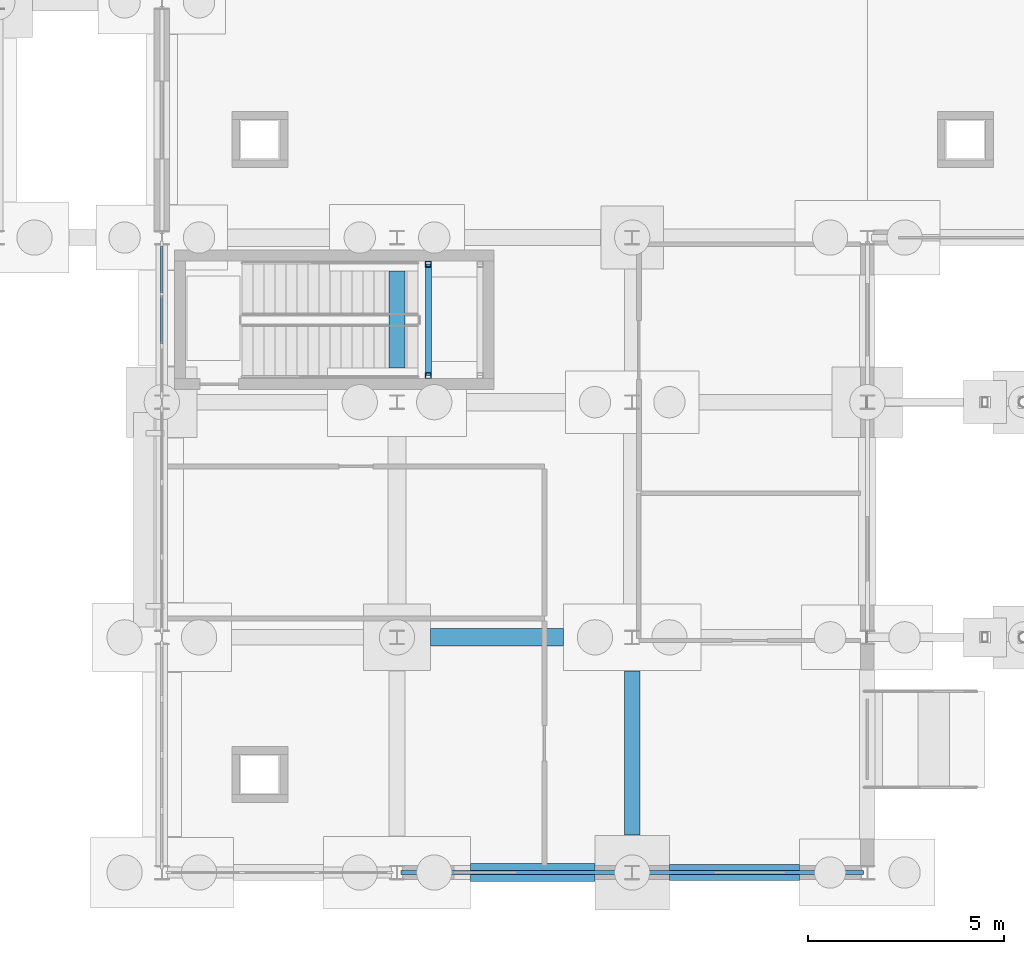
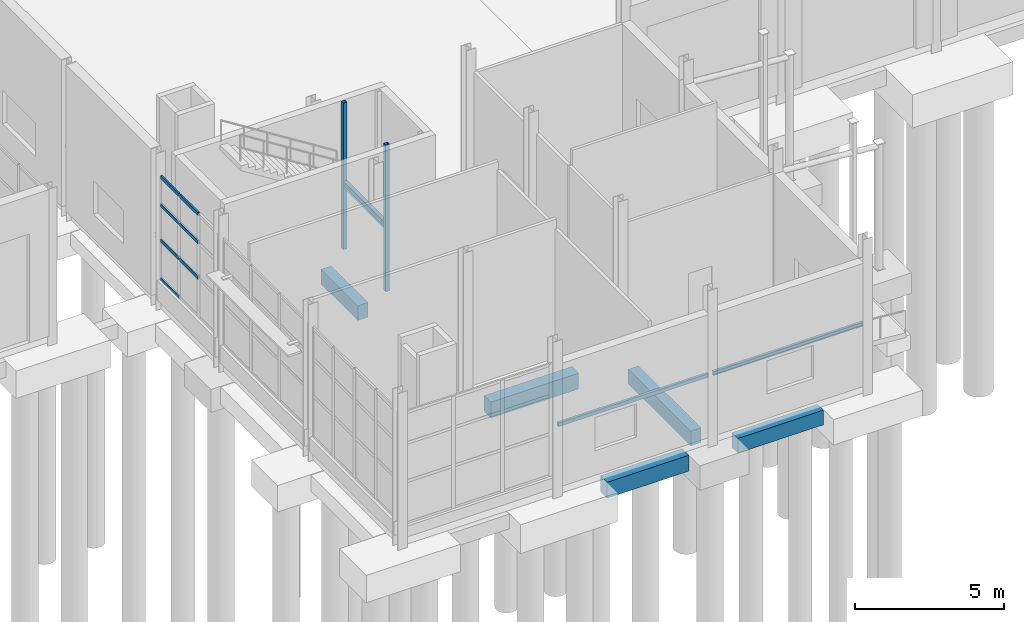
# One storey, part 31 of 120: 9 members, 8 beams, 1 element without a shape of its own.
"""IFC4 building model written with IfcOpenShell, lengths in metres."""

from ifc_helpers import new_model, si_unit, direction, frame, origin, origin_2d, place, context, subcontext, project, spatial, rectangle, hollow_rectangle, i_section, extrude, material, material_profile, profile_set, type_object, element, aggregate, save


model = new_model("IFC4")

# Units and contexts
model_context = context("Model", 3, precision=1e-05, world=origin(), true_north=direction((0.0, 1.0)))
body_context = subcontext(model_context, "Body", "Model", "MODEL_VIEW")
ifc_project = project(units=[si_unit("LENGTHUNIT", "METRE"), si_unit("AREAUNIT", "SQUARE_METRE"), si_unit("VOLUMEUNIT", "CUBIC_METRE"), si_unit("PLANEANGLEUNIT", "RADIAN"), si_unit("MASSUNIT", "GRAM", prefix="KILO")], contexts=[model_context])

# Site, building, storey
site_placement = place(None, origin())
site = spatial("IfcSite", under=ifc_project, at=site_placement, CompositionType="ELEMENT")
building_placement = place(site_placement, origin())
building = spatial("IfcBuilding", under=site, at=building_placement, Name="Siltcreek Boulevard Central Fire Station", CompositionType="ELEMENT")
storey_placement = place(building_placement, origin())
storey = spatial("IfcBuildingStorey", under=building, at=storey_placement, Name="L01", CompositionType="ELEMENT", Elevation=0.0)

# Members
ifc_material_1 = material(Name="Structural steel ASTM A500 GrC", Category="steel")
ifc_material_profile_1 = material_profile(ifc_material_1, hollow_rectangle(XDim=0.14990234375, YDim=0.14990234375, WallThickness=0.008056640625, at=origin_2d()), Name="HSS150X150X8.0")
ifc_profile_set_1 = profile_set([ifc_material_profile_1], Name="Structural steel ASTM A500 GrC")
member_type_1 = type_object("IfcMemberType", Name="BR_HSS150_8", PredefinedType="BRACE", material=ifc_profile_set_1)
for number, where, z_axis, x_axis, name in (
    (1, (48.800048828125, 14.47998046875, 0.0), (0.0, 0.0, 1.0), (1.0, 0.0, 0.0), "L01 ST-V1P stair landing corner post SW"),
    (2, (48.800048828125, 17.320068359375, 0.0), (0.0, 0.0, 1.0), (1.0, 0.0, 0.0), "L01 ST-V1P stair landing corner post NW"),
):
    element("IfcMember", number, at=place(storey_placement, frame(where, z_axis=z_axis, x_axis=x_axis)), inside=storey, type_object=member_type_1, Name=name, PredefinedType="BRACE", context=body_context, shape_type="SweptSolid", body=[
        extrude(hollow_rectangle(XDim=0.14990234375, YDim=0.14990234375, WallThickness=0.008056640625, at=origin_2d()), origin(), (0.0, 0.0, 1.0), 6.0),
    ])

# Curtain wall, members
ifc_material_2 = material(Name="Anodized aluminum and low-E insulated glazing", Category="aluminium")
curtain_wall_type = type_object("IfcCurtainWallType", Name="CW_SYS_11", PredefinedType="USERDEFINED", material=ifc_material_2)
curtain_wall_placement = place(storey_placement, origin())
curtain_wall = element("IfcCurtainWall", 3, at=curtain_wall_placement, inside=storey, type_object=curtain_wall_type, Name="L01 V1 unitised curtain wall CW-010", ObjectType="CURTAIN WALL", PredefinedType="USERDEFINED")
ifc_material_3 = material(Name="Anodized 6063-T6 aluminum framing", Category="aluminium")
ifc_material_profile_2 = material_profile(ifc_material_3, rectangle(XDim=0.06494140625, YDim=0.135009765625, at=origin_2d()), Name="TRAN65X135")
ifc_profile_set_2 = profile_set([ifc_material_profile_2], Name="Anodized 6063-T6 aluminum framing")
member_type_2 = type_object("IfcMemberType", Name="CWT_65X135", PredefinedType="USERDEFINED", material=ifc_profile_set_2)
member_1_placement = place(storey_placement, frame((42.0, 17.7900390625, 0.83251953125), z_axis=(0.0, -1.0, 0.0), x_axis=(1.0, 0.0, 0.0)))
member_1 = element("IfcMember", 4, at=member_1_placement, type_object=member_type_2, Name="CW-010 transom 1.1", ObjectType="TRANSOM", PredefinedType="USERDEFINED", context=body_context, shape_type="SweptSolid", body=[
    extrude(rectangle(XDim=0.06494140625, YDim=0.135009765625, at=origin_2d()), origin(), (0.0, 0.0, 1.0), 1.205810546875),
])
member_2_placement = place(storey_placement, frame((42.0, 17.7900390625, 2.41259765625), z_axis=(0.0, -1.0, 0.0), x_axis=(1.0, 0.0, 0.0)))
member_2 = element("IfcMember", 5, at=member_2_placement, type_object=member_type_2, Name="CW-010 transom 1.2", ObjectType="TRANSOM", PredefinedType="USERDEFINED", context=body_context, shape_type="SweptSolid", body=[
    extrude(rectangle(XDim=0.06494140625, YDim=0.135009765625, at=origin_2d()), origin(), (0.0, 0.0, 1.0), 1.205810546875),
])
member_3_placement = place(storey_placement, frame((42.0, 17.7900390625, 3.855712890625), z_axis=(0.0, -1.0, 0.0), x_axis=(1.0, 0.0, 0.0)))
member_3 = element("IfcMember", 6, at=member_3_placement, type_object=member_type_2, Name="CW-010 transom 1.3", ObjectType="TRANSOM", PredefinedType="USERDEFINED", context=body_context, shape_type="SweptSolid", body=[
    extrude(rectangle(XDim=0.06494140625, YDim=0.135009765625, at=origin_2d()), origin(), (0.0, 0.0, 1.0), 1.205810546875),
])
member_4_placement = place(storey_placement, frame((42.0, 17.7900390625, 5.011474609375), z_axis=(0.0, -1.0, 0.0), x_axis=(1.0, 0.0, 0.0)))
member_4 = element("IfcMember", 7, at=member_4_placement, type_object=member_type_2, Name="CW-010 transom 1.4", ObjectType="TRANSOM", PredefinedType="USERDEFINED", context=body_context, shape_type="SweptSolid", body=[
    extrude(rectangle(XDim=0.06494140625, YDim=0.135009765625, at=origin_2d()), origin(), (0.0, 0.0, 1.0), 1.205810546875),
])
member_5_placement = place(storey_placement, frame((42.0, 16.519287109375, 2.41259765625), z_axis=(0.0, -1.0, 0.0), x_axis=(1.0, 0.0, 0.0)))
member_5 = element("IfcMember", 8, at=member_5_placement, type_object=member_type_2, Name="CW-010 transom 2.2", ObjectType="TRANSOM", PredefinedType="USERDEFINED", context=body_context, shape_type="SweptSolid", body=[
    extrude(rectangle(XDim=0.06494140625, YDim=0.135009765625, at=origin_2d()), origin(), (0.0, 0.0, 1.0), 1.238525390625),
])
member_6_placement = place(storey_placement, frame((42.0, 16.519287109375, 3.855712890625), z_axis=(0.0, -1.0, 0.0), x_axis=(1.0, 0.0, 0.0)))
member_6 = element("IfcMember", 9, at=member_6_placement, type_object=member_type_2, Name="CW-010 transom 2.3", ObjectType="TRANSOM", PredefinedType="USERDEFINED", context=body_context, shape_type="SweptSolid", body=[
    extrude(rectangle(XDim=0.06494140625, YDim=0.135009765625, at=origin_2d()), origin(), (0.0, 0.0, 1.0), 1.238525390625),
])
member_7_placement = place(storey_placement, frame((42.0, 16.519287109375, 5.011474609375), z_axis=(0.0, -1.0, 0.0), x_axis=(1.0, 0.0, 0.0)))
member_7 = element("IfcMember", 10, at=member_7_placement, type_object=member_type_2, Name="CW-010 transom 2.4", ObjectType="TRANSOM", PredefinedType="USERDEFINED", context=body_context, shape_type="SweptSolid", body=[
    extrude(rectangle(XDim=0.06494140625, YDim=0.135009765625, at=origin_2d()), origin(), (0.0, 0.0, 1.0), 1.238525390625),
])
aggregate(curtain_wall, [member_1, member_2, member_3, member_4, member_5, member_6, member_7])

# Beams
ifc_material_4 = material(Name="Concrete C35/45", Category="concrete")
ifc_material_profile_3 = material_profile(ifc_material_4, rectangle(XDim=0.39990234375, YDim=0.60009765625, at=origin_2d()), Name="RC400X600")
ifc_profile_set_3 = profile_set([ifc_material_profile_3], Name="Concrete C35/45")
beam_type_1 = type_object("IfcBeamType", Name="GB_RC400X600", PredefinedType="USERDEFINED", material=ifc_profile_set_3)
beam_1_placement = place(storey_placement, frame((54.951904296875, 1.800048828125, -0.7099609375), z_axis=(1.0, 0.0, 0.0), x_axis=(0.0, 1.0, 0.0)))
element("IfcBeam", 11, at=beam_1_placement, inside=storey, type_object=beam_type_1, Name="Reinforced concrete tie grade beam GB-003", ObjectType="GRADE BEAM", PredefinedType="USERDEFINED", context=body_context, shape_type="SweptSolid", body=[
    extrude(rectangle(XDim=0.39990234375, YDim=0.60009765625, at=origin_2d()), origin(), (0.0, 0.0, 1.0), 3.321044921875),
])
beam_2_placement = place(storey_placement, frame((48.0, 14.677001953125, -0.7099609375), z_axis=(0.0, 1.0, 0.0), x_axis=(-1.0, 0.0, 0.0)))
element("IfcBeam", 12, at=beam_2_placement, inside=storey, type_object=beam_type_1, Name="Reinforced concrete tie grade beam GB-155", ObjectType="GRADE BEAM", PredefinedType="USERDEFINED", context=body_context, shape_type="SweptSolid", body=[
    extrude(rectangle(XDim=0.39990234375, YDim=0.60009765625, at=origin_2d()), origin(), (0.0, 0.0, 1.0), 2.470947265625),
])
beam_3_placement = place(storey_placement, frame((54.0, 2.751953125, -0.7099609375), z_axis=(0.0, 1.0, 0.0), x_axis=(-1.0, 0.0, 0.0)))
element("IfcBeam", 13, at=beam_3_placement, inside=storey, type_object=beam_type_1, Name="Reinforced concrete tie grade beam GB-161", ObjectType="GRADE BEAM", PredefinedType="USERDEFINED", context=body_context, shape_type="SweptSolid", body=[
    extrude(rectangle(XDim=0.39990234375, YDim=0.60009765625, at=origin_2d()), origin(), (0.0, 0.0, 1.0), 4.196044921875),
])
ifc_material_profile_4 = material_profile(ifc_material_4, rectangle(XDim=0.449951171875, YDim=0.64990234375, at=origin_2d()), Name="RC450X650")
ifc_profile_set_4 = profile_set([ifc_material_profile_4], Name="Concrete C35/45")
beam_type_2 = type_object("IfcBeamType", Name="GB_RC450X650", PredefinedType="USERDEFINED", material=ifc_profile_set_4)
beam_4_placement = place(storey_placement, frame((49.876953125, 1.800048828125, -0.735107421875), z_axis=(1.0, 0.0, 0.0), x_axis=(0.0, 1.0, 0.0)))
element("IfcBeam", 14, at=beam_4_placement, inside=storey, type_object=beam_type_2, Name="Reinforced concrete tie grade beam GB-002", ObjectType="GRADE BEAM", PredefinedType="USERDEFINED", context=body_context, shape_type="SweptSolid", body=[
    extrude(rectangle(XDim=0.449951171875, YDim=0.64990234375, at=origin_2d()), origin(), (0.0, 0.0, 1.0), 3.171142578125),
])
beam_5_placement = place(storey_placement, frame((48.85205078125, 7.800048828125, -0.735107421875), z_axis=(1.0, 0.0, 0.0), x_axis=(0.0, 1.0, 0.0)))
element("IfcBeam", 15, at=beam_5_placement, inside=storey, type_object=beam_type_2, Name="Reinforced concrete tie grade beam GB-012", ObjectType="GRADE BEAM", PredefinedType="USERDEFINED", context=body_context, shape_type="SweptSolid", body=[
    extrude(rectangle(XDim=0.449951171875, YDim=0.64990234375, at=origin_2d()), origin(), (0.0, 0.0, 1.0), 3.39599609375),
])
ifc_material_5 = material(Name="Structural steel ASTM A992 Gr50", Category="steel")
ifc_material_profile_5 = material_profile(ifc_material_5, i_section(OverallWidth=0.14697265625, OverallDepth=0.261962890625, WebThickness=0.006591796875, FlangeThickness=0.01123046875, at=origin_2d()), Name="W250X39")
ifc_profile_set_5 = profile_set([ifc_material_profile_5], Name="Structural steel ASTM A992 Gr50")
beam_type_3 = type_object("IfcBeamType", Name="JST_W250X39", PredefinedType="JOIST", material=ifc_profile_set_5)
beam_6_placement = place(storey_placement, frame((48.800048828125, 14.47998046875, 2.6689453125), z_axis=(0.0, 1.0, 0.0), x_axis=(-1.0, 0.0, 0.0)))
element("IfcBeam", 16, at=beam_6_placement, inside=storey, type_object=beam_type_3, Name="L01 ST-V1P stair landing bearer MIDW", PredefinedType="JOIST", context=body_context, shape_type="SweptSolid", body=[
    extrude(i_section(OverallWidth=0.14697265625, OverallDepth=0.261962890625, WebThickness=0.006591796875, FlangeThickness=0.01123046875, at=origin_2d()), origin(), (0.0, 0.0, 1.0), 2.840087890625),
])
ifc_material_profile_6 = material_profile(ifc_material_1, hollow_rectangle(XDim=0.10009765625, YDim=0.14990234375, WallThickness=0.00634765625, at=origin_2d()), Name="HSS150X100X6.4")
ifc_profile_set_6 = profile_set([ifc_material_profile_6], Name="Structural steel ASTM A500 GrC")
beam_type_4 = type_object("IfcBeamType", Name="LIN_HSS150X100", PredefinedType="LINTEL", material=ifc_profile_set_6)
beam_7_placement = place(storey_placement, frame((48.10009765625, 1.800048828125, 2.449951171875), z_axis=(1.0, 0.0, 0.0), x_axis=(0.0, 1.0, 0.0)))
element("IfcBeam", 17, at=beam_7_placement, inside=storey, type_object=beam_type_4, Name="Exterior window steel lintel WLN-01", PredefinedType="LINTEL", context=body_context, shape_type="SweptSolid", body=[
    extrude(hollow_rectangle(XDim=0.10009765625, YDim=0.14990234375, WallThickness=0.00634765625, at=origin_2d()), origin(), (0.0, 0.0, 1.0), 5.7998046875),
])
ifc_material_profile_7 = material_profile(ifc_material_5, i_section(OverallWidth=0.10205078125, OverallDepth=0.159912109375, WebThickness=0.006591796875, FlangeThickness=0.01025390625, at=origin_2d()), Name="W150X24")
ifc_profile_set_7 = profile_set([ifc_material_profile_7], Name="Structural steel ASTM A992 Gr50")
beam_type_5 = type_object("IfcBeamType", Name="LIN_W150X24", PredefinedType="LINTEL", material=ifc_profile_set_7)
beam_8_placement = place(storey_placement, frame((54.10009765625, 1.800048828125, 2.449951171875), z_axis=(1.0, 0.0, 0.0), x_axis=(0.0, 1.0, 0.0)))
element("IfcBeam", 18, at=beam_8_placement, inside=storey, type_object=beam_type_5, Name="Exterior window steel lintel WLN-02", PredefinedType="LINTEL", context=body_context, shape_type="SweptSolid", body=[
    extrude(i_section(OverallWidth=0.10205078125, OverallDepth=0.159912109375, WebThickness=0.006591796875, FlangeThickness=0.01025390625, at=origin_2d()), origin(), (0.0, 0.0, 1.0), 5.7998046875),
])

save(model, "model.ifc")
